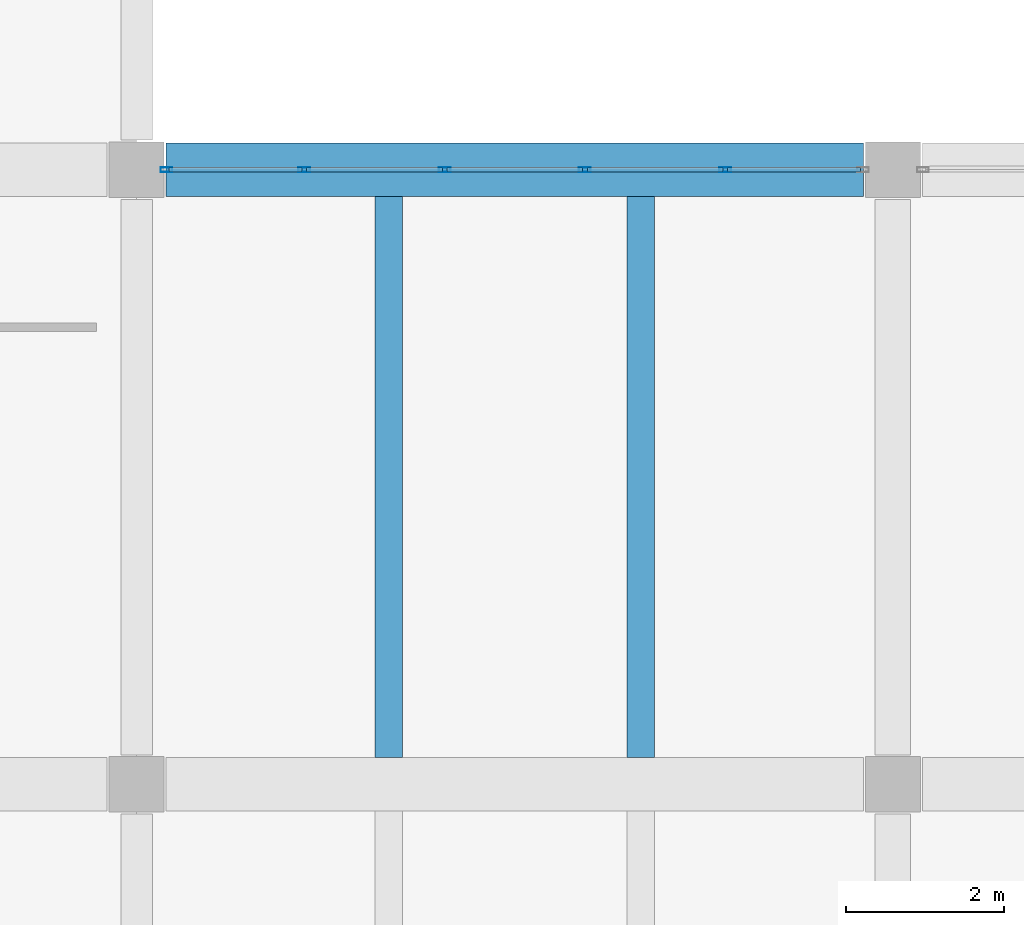
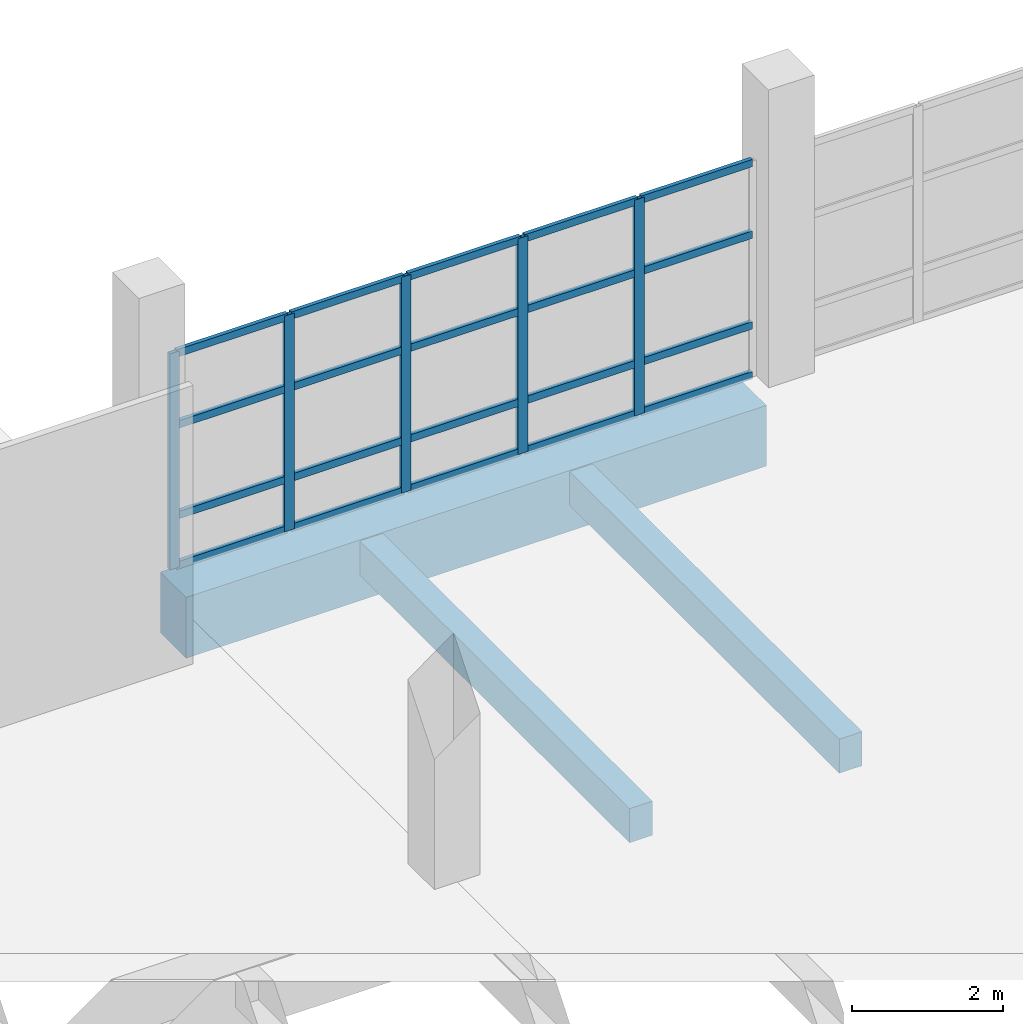
# One storey, part 43 of 91: 25 members, 3 beams, 1 element without a shape of its own.
"""IFC4 building model written with IfcOpenShell, lengths in metres."""

from ifc_helpers import new_model, si_unit, direction, frame, origin, origin_2d, place, context, subcontext, project, spatial, rectangle, hollow_rectangle, extrude, material, material_profile, profile_set, type_object, element, aggregate, save


model = new_model("IFC4")

# Units and contexts
model_context = context("Model", 3, precision=1e-05, world=origin(), true_north=direction((0.0, 1.0)))
body_context = subcontext(model_context, "Body", "Model", "MODEL_VIEW")
ifc_project = project(units=[si_unit("LENGTHUNIT", "METRE"), si_unit("AREAUNIT", "SQUARE_METRE"), si_unit("VOLUMEUNIT", "CUBIC_METRE"), si_unit("PLANEANGLEUNIT", "RADIAN"), si_unit("MASSUNIT", "GRAM", prefix="KILO")], contexts=[model_context])

# Site, building, storey
site_placement = place(None, origin())
site = spatial("IfcSite", under=ifc_project, at=site_placement, CompositionType="ELEMENT")
building_placement = place(site_placement, origin())
building = spatial("IfcBuilding", under=site, at=building_placement, Name="Pellamere Symphony Hall", CompositionType="ELEMENT")
storey_placement = place(building_placement, frame((0.0, 0.0, 5.39990234375)))
storey = spatial("IfcBuildingStorey", under=building, at=storey_placement, Name="L01", CompositionType="ELEMENT", Elevation=5.39990234375)

# Curtain wall, members
ifc_material_1 = material(Name="Thermally Broken Anodised Aluminium 6063-T6 Curtain Wall", Category="aluminium")
curtain_wall_type = type_object("IfcCurtainWallType", Name="Curtain Wall CW-03 (Sculpture Court Glazed Link Curtain Wall)", PredefinedType="NOTDEFINED", material=ifc_material_1)
curtain_wall_placement = place(storey_placement, origin())
curtain_wall = element("IfcCurtainWall", 1, at=curtain_wall_placement, inside=storey, type_object=curtain_wall_type, Name="Sculpture Court Link Curtain Wall (L01 Bay 1)", PredefinedType="NOTDEFINED")
ifc_material_2 = material(Name="Anodised Architectural Aluminium 6063-T6", Category="aluminium")
ifc_material_profile_1 = material_profile(ifc_material_2, hollow_rectangle(XDim=0.06005859375, YDim=0.14990234375, WallThickness=0.00390625, at=origin_2d()), Name="ALU-M60X150X4")
ifc_profile_set_1 = profile_set([ifc_material_profile_1], Name="Anodised Architectural Aluminium 6063-T6")
member_type_1 = type_object("IfcMemberType", Name="Curtain Wall Mullion ML-03 ALU-M60X150X4", PredefinedType="MULLION", material=ifc_profile_set_1)
member_1_placement = place(storey_placement, frame((119.179931640625, 54.0, 0.0), z_axis=(0.0, 0.0, 1.0), x_axis=(0.0, 1.0, 0.0)))
member_1 = element("IfcMember", 2, at=member_1_placement, type_object=member_type_1, Name="CW3-103 crystal mullion 1", PredefinedType="MULLION", context=body_context, shape_type="SweptSolid", body=[
    extrude(hollow_rectangle(XDim=0.06005859375, YDim=0.14990234375, WallThickness=0.00390625, at=origin_2d()), origin(), (0.0, 0.0, 1.0), 3.47998046875),
])
member_2_placement = place(storey_placement, frame((120.929931640625, 54.0, 0.0), z_axis=(0.0, 0.0, 1.0), x_axis=(0.0, 1.0, 0.0)))
member_2 = element("IfcMember", 3, at=member_2_placement, type_object=member_type_1, Name="CW3-103 crystal mullion 2", PredefinedType="MULLION", context=body_context, shape_type="SweptSolid", body=[
    extrude(hollow_rectangle(XDim=0.06005859375, YDim=0.14990234375, WallThickness=0.00390625, at=origin_2d()), origin(), (0.0, 0.0, 1.0), 3.47998046875),
])
member_3_placement = place(storey_placement, frame((122.7099609375, 54.0, 0.0), z_axis=(0.0, 0.0, 1.0), x_axis=(0.0, 1.0, 0.0)))
member_3 = element("IfcMember", 4, at=member_3_placement, type_object=member_type_1, Name="CW3-103 crystal mullion 3", PredefinedType="MULLION", context=body_context, shape_type="SweptSolid", body=[
    extrude(hollow_rectangle(XDim=0.06005859375, YDim=0.14990234375, WallThickness=0.00390625, at=origin_2d()), origin(), (0.0, 0.0, 1.0), 3.47998046875),
])
member_4_placement = place(storey_placement, frame((124.489990234375, 54.0, 0.0), z_axis=(0.0, 0.0, 1.0), x_axis=(0.0, 1.0, 0.0)))
member_4 = element("IfcMember", 5, at=member_4_placement, type_object=member_type_1, Name="CW3-103 crystal mullion 4", PredefinedType="MULLION", context=body_context, shape_type="SweptSolid", body=[
    extrude(hollow_rectangle(XDim=0.06005859375, YDim=0.14990234375, WallThickness=0.00390625, at=origin_2d()), origin(), (0.0, 0.0, 1.0), 3.47998046875),
])
member_5_placement = place(storey_placement, frame((126.27001953125, 54.0, 0.0), z_axis=(0.0, 0.0, 1.0), x_axis=(0.0, 1.0, 0.0)))
member_5 = element("IfcMember", 6, at=member_5_placement, type_object=member_type_1, Name="CW3-103 crystal mullion 5", PredefinedType="MULLION", context=body_context, shape_type="SweptSolid", body=[
    extrude(hollow_rectangle(XDim=0.06005859375, YDim=0.14990234375, WallThickness=0.00390625, at=origin_2d()), origin(), (0.0, 0.0, 1.0), 3.47998046875),
])
ifc_material_profile_2 = material_profile(ifc_material_2, hollow_rectangle(XDim=0.06005859375, YDim=0.1201171875, WallThickness=0.00390625, at=origin_2d()), Name="ALU-T60X120X4")
ifc_profile_set_2 = profile_set([ifc_material_profile_2], Name="Anodised Architectural Aluminium 6063-T6")
member_type_2 = type_object("IfcMemberType", Name="Curtain Wall Transom TR-03 ALU-T60X120X4", PredefinedType="USERDEFINED", material=ifc_profile_set_2)
member_6_placement = place(storey_placement, frame((119.2099609375, 54.0, 0.030029296875), z_axis=(1.0, 0.0, 0.0), x_axis=(0.0, 1.0, 0.0)))
member_6 = element("IfcMember", 7, at=member_6_placement, type_object=member_type_2, Name="CW3-103 crystal transom 1.1", ObjectType="TRANSOM", PredefinedType="USERDEFINED", context=body_context, shape_type="SweptSolid", body=[
    extrude(hollow_rectangle(XDim=0.06005859375, YDim=0.1201171875, WallThickness=0.00390625, at=origin_2d()), origin(), (0.0, 0.0, 1.0), 1.68994140625),
])
member_7_placement = place(storey_placement, frame((119.2099609375, 54.0, 0.835205078125), z_axis=(1.0, 0.0, 0.0), x_axis=(0.0, 1.0, 0.0)))
member_7 = element("IfcMember", 8, at=member_7_placement, type_object=member_type_2, Name="CW3-103 crystal transom 1.2", ObjectType="TRANSOM", PredefinedType="USERDEFINED", context=body_context, shape_type="SweptSolid", body=[
    extrude(hollow_rectangle(XDim=0.06005859375, YDim=0.1201171875, WallThickness=0.00390625, at=origin_2d()), origin(), (0.0, 0.0, 1.0), 1.68994140625),
])
member_8_placement = place(storey_placement, frame((119.2099609375, 54.0, 2.296875), z_axis=(1.0, 0.0, 0.0), x_axis=(0.0, 1.0, 0.0)))
member_8 = element("IfcMember", 9, at=member_8_placement, type_object=member_type_2, Name="CW3-103 crystal transom 1.3", ObjectType="TRANSOM", PredefinedType="USERDEFINED", context=body_context, shape_type="SweptSolid", body=[
    extrude(hollow_rectangle(XDim=0.06005859375, YDim=0.1201171875, WallThickness=0.00390625, at=origin_2d()), origin(), (0.0, 0.0, 1.0), 1.68994140625),
])
member_9_placement = place(storey_placement, frame((119.2099609375, 54.0, 3.4501953125), z_axis=(1.0, 0.0, 0.0), x_axis=(0.0, 1.0, 0.0)))
member_9 = element("IfcMember", 10, at=member_9_placement, type_object=member_type_2, Name="CW3-103 crystal transom 1.4", ObjectType="TRANSOM", PredefinedType="USERDEFINED", context=body_context, shape_type="SweptSolid", body=[
    extrude(hollow_rectangle(XDim=0.06005859375, YDim=0.1201171875, WallThickness=0.00390625, at=origin_2d()), origin(), (0.0, 0.0, 1.0), 1.68994140625),
])
member_10_placement = place(storey_placement, frame((120.9599609375, 54.0, 0.030029296875), z_axis=(1.0, 0.0, 0.0), x_axis=(0.0, 1.0, 0.0)))
member_10 = element("IfcMember", 11, at=member_10_placement, type_object=member_type_2, Name="CW3-103 crystal transom 2.1", ObjectType="TRANSOM", PredefinedType="USERDEFINED", context=body_context, shape_type="SweptSolid", body=[
    extrude(hollow_rectangle(XDim=0.06005859375, YDim=0.1201171875, WallThickness=0.00390625, at=origin_2d()), origin(), (0.0, 0.0, 1.0), 1.719970703125),
])
member_11_placement = place(storey_placement, frame((120.9599609375, 54.0, 0.835205078125), z_axis=(1.0, 0.0, 0.0), x_axis=(0.0, 1.0, 0.0)))
member_11 = element("IfcMember", 12, at=member_11_placement, type_object=member_type_2, Name="CW3-103 crystal transom 2.2", ObjectType="TRANSOM", PredefinedType="USERDEFINED", context=body_context, shape_type="SweptSolid", body=[
    extrude(hollow_rectangle(XDim=0.06005859375, YDim=0.1201171875, WallThickness=0.00390625, at=origin_2d()), origin(), (0.0, 0.0, 1.0), 1.719970703125),
])
member_12_placement = place(storey_placement, frame((120.9599609375, 54.0, 2.296875), z_axis=(1.0, 0.0, 0.0), x_axis=(0.0, 1.0, 0.0)))
member_12 = element("IfcMember", 13, at=member_12_placement, type_object=member_type_2, Name="CW3-103 crystal transom 2.3", ObjectType="TRANSOM", PredefinedType="USERDEFINED", context=body_context, shape_type="SweptSolid", body=[
    extrude(hollow_rectangle(XDim=0.06005859375, YDim=0.1201171875, WallThickness=0.00390625, at=origin_2d()), origin(), (0.0, 0.0, 1.0), 1.719970703125),
])
member_13_placement = place(storey_placement, frame((120.9599609375, 54.0, 3.4501953125), z_axis=(1.0, 0.0, 0.0), x_axis=(0.0, 1.0, 0.0)))
member_13 = element("IfcMember", 14, at=member_13_placement, type_object=member_type_2, Name="CW3-103 crystal transom 2.4", ObjectType="TRANSOM", PredefinedType="USERDEFINED", context=body_context, shape_type="SweptSolid", body=[
    extrude(hollow_rectangle(XDim=0.06005859375, YDim=0.1201171875, WallThickness=0.00390625, at=origin_2d()), origin(), (0.0, 0.0, 1.0), 1.719970703125),
])
member_14_placement = place(storey_placement, frame((122.739990234375, 54.0, 0.030029296875), z_axis=(1.0, 0.0, 0.0), x_axis=(0.0, 1.0, 0.0)))
member_14 = element("IfcMember", 15, at=member_14_placement, type_object=member_type_2, Name="CW3-103 crystal transom 3.1", ObjectType="TRANSOM", PredefinedType="USERDEFINED", context=body_context, shape_type="SweptSolid", body=[
    extrude(hollow_rectangle(XDim=0.06005859375, YDim=0.1201171875, WallThickness=0.00390625, at=origin_2d()), origin(), (0.0, 0.0, 1.0), 1.719970703125),
])
member_15_placement = place(storey_placement, frame((122.739990234375, 54.0, 0.835205078125), z_axis=(1.0, 0.0, 0.0), x_axis=(0.0, 1.0, 0.0)))
member_15 = element("IfcMember", 16, at=member_15_placement, type_object=member_type_2, Name="CW3-103 crystal transom 3.2", ObjectType="TRANSOM", PredefinedType="USERDEFINED", context=body_context, shape_type="SweptSolid", body=[
    extrude(hollow_rectangle(XDim=0.06005859375, YDim=0.1201171875, WallThickness=0.00390625, at=origin_2d()), origin(), (0.0, 0.0, 1.0), 1.719970703125),
])
member_16_placement = place(storey_placement, frame((122.739990234375, 54.0, 2.296875), z_axis=(1.0, 0.0, 0.0), x_axis=(0.0, 1.0, 0.0)))
member_16 = element("IfcMember", 17, at=member_16_placement, type_object=member_type_2, Name="CW3-103 crystal transom 3.3", ObjectType="TRANSOM", PredefinedType="USERDEFINED", context=body_context, shape_type="SweptSolid", body=[
    extrude(hollow_rectangle(XDim=0.06005859375, YDim=0.1201171875, WallThickness=0.00390625, at=origin_2d()), origin(), (0.0, 0.0, 1.0), 1.719970703125),
])
member_17_placement = place(storey_placement, frame((122.739990234375, 54.0, 3.4501953125), z_axis=(1.0, 0.0, 0.0), x_axis=(0.0, 1.0, 0.0)))
member_17 = element("IfcMember", 18, at=member_17_placement, type_object=member_type_2, Name="CW3-103 crystal transom 3.4", ObjectType="TRANSOM", PredefinedType="USERDEFINED", context=body_context, shape_type="SweptSolid", body=[
    extrude(hollow_rectangle(XDim=0.06005859375, YDim=0.1201171875, WallThickness=0.00390625, at=origin_2d()), origin(), (0.0, 0.0, 1.0), 1.719970703125),
])
member_18_placement = place(storey_placement, frame((124.52001953125, 54.0, 0.030029296875), z_axis=(1.0, 0.0, 0.0), x_axis=(0.0, 1.0, 0.0)))
member_18 = element("IfcMember", 19, at=member_18_placement, type_object=member_type_2, Name="CW3-103 crystal transom 4.1", ObjectType="TRANSOM", PredefinedType="USERDEFINED", context=body_context, shape_type="SweptSolid", body=[
    extrude(hollow_rectangle(XDim=0.06005859375, YDim=0.1201171875, WallThickness=0.00390625, at=origin_2d()), origin(), (0.0, 0.0, 1.0), 1.719970703125),
])
member_19_placement = place(storey_placement, frame((124.52001953125, 54.0, 0.835205078125), z_axis=(1.0, 0.0, 0.0), x_axis=(0.0, 1.0, 0.0)))
member_19 = element("IfcMember", 20, at=member_19_placement, type_object=member_type_2, Name="CW3-103 crystal transom 4.2", ObjectType="TRANSOM", PredefinedType="USERDEFINED", context=body_context, shape_type="SweptSolid", body=[
    extrude(hollow_rectangle(XDim=0.06005859375, YDim=0.1201171875, WallThickness=0.00390625, at=origin_2d()), origin(), (0.0, 0.0, 1.0), 1.719970703125),
])
member_20_placement = place(storey_placement, frame((124.52001953125, 54.0, 2.296875), z_axis=(1.0, 0.0, 0.0), x_axis=(0.0, 1.0, 0.0)))
member_20 = element("IfcMember", 21, at=member_20_placement, type_object=member_type_2, Name="CW3-103 crystal transom 4.3", ObjectType="TRANSOM", PredefinedType="USERDEFINED", context=body_context, shape_type="SweptSolid", body=[
    extrude(hollow_rectangle(XDim=0.06005859375, YDim=0.1201171875, WallThickness=0.00390625, at=origin_2d()), origin(), (0.0, 0.0, 1.0), 1.719970703125),
])
member_21_placement = place(storey_placement, frame((124.52001953125, 54.0, 3.4501953125), z_axis=(1.0, 0.0, 0.0), x_axis=(0.0, 1.0, 0.0)))
member_21 = element("IfcMember", 22, at=member_21_placement, type_object=member_type_2, Name="CW3-103 crystal transom 4.4", ObjectType="TRANSOM", PredefinedType="USERDEFINED", context=body_context, shape_type="SweptSolid", body=[
    extrude(hollow_rectangle(XDim=0.06005859375, YDim=0.1201171875, WallThickness=0.00390625, at=origin_2d()), origin(), (0.0, 0.0, 1.0), 1.719970703125),
])
member_22_placement = place(storey_placement, frame((126.300048828125, 54.0, 0.030029296875), z_axis=(1.0, 0.0, 0.0), x_axis=(0.0, 1.0, 0.0)))
member_22 = element("IfcMember", 23, at=member_22_placement, type_object=member_type_2, Name="CW3-103 crystal transom 5.1", ObjectType="TRANSOM", PredefinedType="USERDEFINED", context=body_context, shape_type="SweptSolid", body=[
    extrude(hollow_rectangle(XDim=0.06005859375, YDim=0.1201171875, WallThickness=0.00390625, at=origin_2d()), origin(), (0.0, 0.0, 1.0), 1.68994140625),
])
member_23_placement = place(storey_placement, frame((126.300048828125, 54.0, 0.835205078125), z_axis=(1.0, 0.0, 0.0), x_axis=(0.0, 1.0, 0.0)))
member_23 = element("IfcMember", 24, at=member_23_placement, type_object=member_type_2, Name="CW3-103 crystal transom 5.2", ObjectType="TRANSOM", PredefinedType="USERDEFINED", context=body_context, shape_type="SweptSolid", body=[
    extrude(hollow_rectangle(XDim=0.06005859375, YDim=0.1201171875, WallThickness=0.00390625, at=origin_2d()), origin(), (0.0, 0.0, 1.0), 1.68994140625),
])
member_24_placement = place(storey_placement, frame((126.300048828125, 54.0, 2.296875), z_axis=(1.0, 0.0, 0.0), x_axis=(0.0, 1.0, 0.0)))
member_24 = element("IfcMember", 25, at=member_24_placement, type_object=member_type_2, Name="CW3-103 crystal transom 5.3", ObjectType="TRANSOM", PredefinedType="USERDEFINED", context=body_context, shape_type="SweptSolid", body=[
    extrude(hollow_rectangle(XDim=0.06005859375, YDim=0.1201171875, WallThickness=0.00390625, at=origin_2d()), origin(), (0.0, 0.0, 1.0), 1.68994140625),
])
member_25_placement = place(storey_placement, frame((126.300048828125, 54.0, 3.4501953125), z_axis=(1.0, 0.0, 0.0), x_axis=(0.0, 1.0, 0.0)))
member_25 = element("IfcMember", 26, at=member_25_placement, type_object=member_type_2, Name="CW3-103 crystal transom 5.4", ObjectType="TRANSOM", PredefinedType="USERDEFINED", context=body_context, shape_type="SweptSolid", body=[
    extrude(hollow_rectangle(XDim=0.06005859375, YDim=0.1201171875, WallThickness=0.00390625, at=origin_2d()), origin(), (0.0, 0.0, 1.0), 1.68994140625),
])
aggregate(curtain_wall, [member_1, member_2, member_3, member_4, member_5, member_6, member_7, member_8, member_9, member_10, member_11, member_12, member_13, member_14, member_15, member_16, member_17, member_18, member_19, member_20, member_21, member_22, member_23, member_24, member_25])

# Beams
ifc_material_3 = material(Name="Concrete 35 MPa", Category="concrete")
ifc_material_profile_3 = material_profile(ifc_material_3, rectangle(XDim=0.35009765625, YDim=0.550048828125, at=origin_2d()), Name="RC 350x550")
ifc_profile_set_3 = profile_set([ifc_material_profile_3], Name="Concrete 35 MPa")
beam_type_1 = type_object("IfcBeamType", Name="RC CB-10 350x550", PredefinedType="BEAM", material=ifc_profile_set_3)
for number, where, z_axis, x_axis, name in (
    (27, (122.0, 46.5400390625, -0.56982421875), (0.0, 1.0, 0.0), (-1.0, 0.0, 0.0), "Secondary Floor Beam CB-10-A1506 (L01)"),
    (28, (125.199951171875, 46.5400390625, -0.56982421875), (0.0, 1.0, 0.0), (-1.0, 0.0, 0.0), "Secondary Floor Beam CB-10-B1506 (L01)"),
):
    element("IfcBeam", number, at=place(storey_placement, frame(where, z_axis=z_axis, x_axis=x_axis)), inside=storey, type_object=beam_type_1, Name=name, PredefinedType="BEAM", context=body_context, shape_type="SweptSolid", body=[
        extrude(rectangle(XDim=0.35009765625, YDim=0.550048828125, at=origin_2d()), origin(), (0.0, 0.0, 1.0), 7.119873046875),
    ])
ifc_material_4 = material(Name="Concrete 40 MPa", Category="concrete")
ifc_material_profile_4 = material_profile(ifc_material_4, rectangle(XDim=0.679931640625, YDim=0.97998046875, at=origin_2d()), Name="RC 680x980")
ifc_profile_set_4 = profile_set([ifc_material_profile_4], Name="Concrete 40 MPa")
beam_type_2 = type_object("IfcBeamType", Name="RC CB-22 680x980", PredefinedType="BEAM", material=ifc_profile_set_4)
beam_placement = place(storey_placement, frame((119.175048828125, 54.0, -0.77001953125), z_axis=(1.0, 0.0, 0.0), x_axis=(0.0, 1.0, 0.0)))
element("IfcBeam", 29, at=beam_placement, inside=storey, type_object=beam_type_2, Name="Girder CB-22-X0642 (L01)", PredefinedType="BEAM", context=body_context, shape_type="SweptSolid", body=[
    extrude(rectangle(XDim=0.679931640625, YDim=0.97998046875, at=origin_2d()), origin(), (0.0, 0.0, 1.0), 8.849853515625),
])

save(model, "model.ifc")
